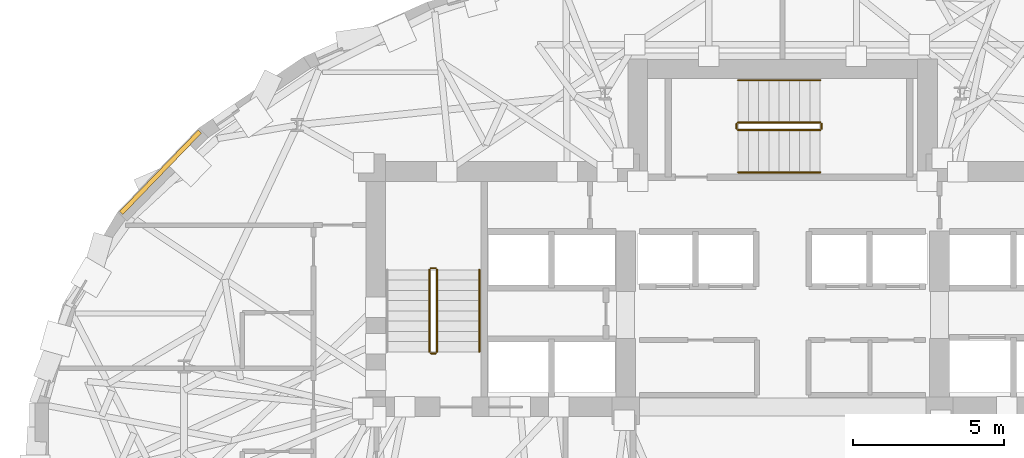
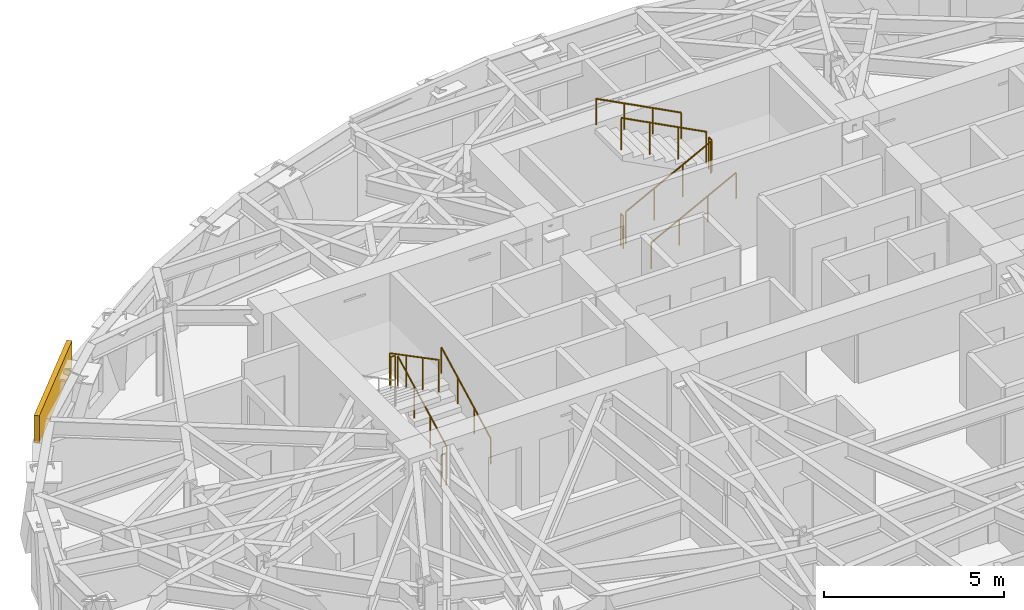
# One storey, part 12 of 14: 11 railings, 1 covering.
"""IFC4 building model written with IfcOpenShell, lengths in metres."""

from ifc_helpers import new_model, si_unit, direction, frame, origin, origin_2d, place, context, subcontext, project, spatial, rectangle, circle, extrude, material, layer, layer_set, type_object, element, save


model = new_model("IFC4")

# Units and contexts
model_context = context("Model", 3, precision=1e-05, world=origin(), true_north=direction((0.0, 1.0)))
body_context = subcontext(model_context, "Body", "Model", "MODEL_VIEW")
ifc_project = project(units=[si_unit("LENGTHUNIT", "METRE"), si_unit("AREAUNIT", "SQUARE_METRE"), si_unit("VOLUMEUNIT", "CUBIC_METRE"), si_unit("PLANEANGLEUNIT", "RADIAN"), si_unit("MASSUNIT", "GRAM", prefix="KILO")], contexts=[model_context])

# Site, building, storey
site_placement = place(None, origin())
site = spatial("IfcSite", under=ifc_project, at=site_placement, CompositionType="ELEMENT")
building_placement = place(site_placement, origin())
building = spatial("IfcBuilding", under=site, at=building_placement, Name="Keldmark Tower", CompositionType="ELEMENT")
storey_placement = place(building_placement, frame((0.0, 0.0, 169.39990234375)))
storey = spatial("IfcBuildingStorey", under=building, at=storey_placement, Name="L46", CompositionType="ELEMENT", Elevation=169.39990234375)

# Covering
ifc_material_1 = material(Name="Honed Kasota Buff Dolomitic Limestone", Category="masonry")
ifc_layer = layer(ifc_material_1, 0.074951171875)
ifc_layer_set = layer_set([ifc_layer], Name="Honed Kasota Buff Dolomitic Limestone")
covering_type = type_object("IfcCoveringType", Name="Kasota Buff Limestone Spandrel Cladding Band", PredefinedType="CLADDING", material=ifc_layer_set)
covering_placement = place(storey_placement, frame((-20.6142578125, 9.298095703125, 2.2392578125), z_axis=(0.0, 0.0, 1.0), x_axis=(-0.694959625859, -0.719048759422, 0.0)))
element("IfcCovering", 1, at=covering_placement, inside=storey, type_object=covering_type, Name="L46 Kasota Limestone Spandrel Band 13", PredefinedType="CLADDING", context=body_context, shape_type="SweptSolid", body=[
    extrude(rectangle(XDim=3.74609375, YDim=0.14990234375, at=origin_2d()), origin(), (0.0, 0.0, 1.0), 0.94091796875),
])

# Railings
ifc_material_2 = material(Name="Painted Steel ASTM A500 Grade B", Category="steel")
railing_type_1 = type_object("IfcRailingType", Name="Painted Steel Stair Well Guard 1100 mm", PredefinedType="GUARDRAIL", material=ifc_material_2)
railing_1_placement = place(storey_placement, frame((-11.449951171875, 3.35009765625, 0.177978515625)))
element("IfcRailing", 2, at=railing_1_placement, inside=storey, type_object=railing_type_1, Name="L46 ST1 stair guard 1", PredefinedType="GUARDRAIL", context=body_context, shape_type="SweptSolid", body=[
    extrude(circle(Radius=0.02392578125, at=origin_2d()), frame((0.0, 0.0, 1.076171875), z_axis=(0.0, 0.886183135912, 0.463335137482), x_axis=(-1.0, 0.0, 0.0)), (0.0, 0.0, 1.0), 3.0693359375),
    extrude(circle(Radius=0.02099609375, at=origin_2d()), origin(), (0.0, 0.0, 1.0), 1.052001953125),
    extrude(circle(Radius=0.02099609375, at=origin_2d()), frame((0.0, 0.90673828125, 0.47412109375)), (0.0, 0.0, 1.0), 1.052001953125),
    extrude(circle(Radius=0.02099609375, at=origin_2d()), frame((0.0, 1.813232421875, 0.947998046875)), (0.0, 0.0, 1.0), 1.052001953125),
    extrude(circle(Radius=0.02099609375, at=origin_2d()), frame((0.0, 2.719970703125, 1.422119140625)), (0.0, 0.0, 1.0), 1.052001953125),
])
railing_2_placement = place(storey_placement, frame((-11.5, 6.1201171875, 1.60009765625)))
element("IfcRailing", 3, at=railing_2_placement, inside=storey, type_object=railing_type_1, Name="L46 ST1 stair guard 2", PredefinedType="GUARDRAIL", context=body_context, shape_type="SweptSolid", body=[
    extrude(circle(Radius=0.02392578125, at=origin_2d()), frame((0.0, 0.0, 1.076171875), z_axis=(-1.0, 0.0, 0.0), x_axis=(0.0, -1.0, 0.0)), (0.0, 0.0, 1.0), 0.14990234375),
    extrude(circle(Radius=0.02099609375, at=origin_2d()), origin(), (0.0, 0.0, 1.0), 1.052001953125),
    extrude(circle(Radius=0.02099609375, at=origin_2d()), frame((-0.14990234375, 0.0, 0.0)), (0.0, 0.0, 1.0), 1.052001953125),
])
railing_3_placement = place(storey_placement, frame((-11.699951171875, 6.070068359375, 1.77783203125)))
element("IfcRailing", 4, at=railing_3_placement, inside=storey, type_object=railing_type_1, Name="L46 ST1 stair guard 3", PredefinedType="GUARDRAIL", context=body_context, shape_type="SweptSolid", body=[
    extrude(circle(Radius=0.02392578125, at=origin_2d()), frame((0.0, 0.0, 1.076171875), z_axis=(0.0, -0.886150474775, 0.463397600399), x_axis=(1.0, 0.0, 0.0)), (0.0, 0.0, 1.0), 3.0693359375),
    extrude(circle(Radius=0.02099609375, at=origin_2d()), origin(), (0.0, 0.0, 1.0), 1.052001953125),
    extrude(circle(Radius=0.02099609375, at=origin_2d()), frame((0.0, -0.90673828125, 0.47412109375)), (0.0, 0.0, 1.0), 1.052001953125),
    extrude(circle(Radius=0.02099609375, at=origin_2d()), frame((0.0, -1.813232421875, 0.9482421875)), (0.0, 0.0, 1.0), 1.052001953125),
    extrude(circle(Radius=0.02099609375, at=origin_2d()), frame((0.0, -2.719970703125, 1.42236328125)), (0.0, 0.0, 1.0), 1.052001953125),
])
railing_4_placement = place(storey_placement, frame((-11.5, 3.300048828125, 0.0)))
element("IfcRailing", 5, at=railing_4_placement, inside=storey, type_object=railing_type_1, Name="L46 ST1 stair guard 4", PredefinedType="GUARDRAIL", context=body_context, shape_type="SweptSolid", body=[
    extrude(circle(Radius=0.02392578125, at=origin_2d()), frame((0.0, 0.0, 1.076171875), z_axis=(-1.0, 0.0, 0.0), x_axis=(0.0, -1.0, 0.0)), (0.0, 0.0, 1.0), 0.14990234375),
    extrude(circle(Radius=0.02099609375, at=origin_2d()), origin(), (0.0, 0.0, 1.0), 1.052001953125),
    extrude(circle(Radius=0.02099609375, at=origin_2d()), frame((-0.14990234375, 0.0, 0.0)), (0.0, 0.0, 1.0), 1.052001953125),
])
railing_5_placement = place(storey_placement, frame((-1.47509765625, 10.699951171875, 0.177978515625)))
element("IfcRailing", 6, at=railing_5_placement, inside=storey, type_object=railing_type_1, Name="L46 ST3 stair guard 1", PredefinedType="GUARDRAIL", context=body_context, shape_type="SweptSolid", body=[
    extrude(circle(Radius=0.02392578125, at=origin_2d()), frame((0.0, 0.0, 1.076171875), z_axis=(0.886200210249, 0.0, 0.463302479331), x_axis=(0.0, 1.0, 0.0)), (0.0, 0.0, 1.0), 3.069580078125),
    extrude(circle(Radius=0.02099609375, at=origin_2d()), origin(), (0.0, 0.0, 1.0), 1.052001953125),
    extrude(circle(Radius=0.02099609375, at=origin_2d()), frame((0.90673828125, 0.0, 0.47412109375)), (0.0, 0.0, 1.0), 1.052001953125),
    extrude(circle(Radius=0.02099609375, at=origin_2d()), frame((1.8134765625, 0.0, 0.947998046875)), (0.0, 0.0, 1.0), 1.052001953125),
    extrude(circle(Radius=0.02099609375, at=origin_2d()), frame((2.72021484375, 0.0, 1.422119140625)), (0.0, 0.0, 1.0), 1.052001953125),
])
railing_6_placement = place(storey_placement, frame((1.294921875, 10.75, 1.60009765625)))
element("IfcRailing", 7, at=railing_6_placement, inside=storey, type_object=railing_type_1, Name="L46 ST3 stair guard 2", PredefinedType="GUARDRAIL", context=body_context, shape_type="SweptSolid", body=[
    extrude(circle(Radius=0.02392578125, at=origin_2d()), frame((0.0, 0.0, 1.076171875), z_axis=(0.0, 1.0, 0.0), x_axis=(-1.0, 0.0, 0.0)), (0.0, 0.0, 1.0), 0.14990234375),
    extrude(circle(Radius=0.02099609375, at=origin_2d()), origin(), (0.0, 0.0, 1.0), 1.052001953125),
    extrude(circle(Radius=0.02099609375, at=origin_2d()), frame((0.0, 0.14990234375, 0.0)), (0.0, 0.0, 1.0), 1.052001953125),
])
railing_7_placement = place(storey_placement, frame((1.2451171875, 10.949951171875, 1.77783203125)))
element("IfcRailing", 8, at=railing_7_placement, inside=storey, type_object=railing_type_1, Name="L46 ST3 stair guard 3", PredefinedType="GUARDRAIL", context=body_context, shape_type="SweptSolid", body=[
    extrude(circle(Radius=0.02392578125, at=origin_2d()), frame((0.0, 0.0, 1.076171875), z_axis=(-0.886167553088, 0.0, 0.463364940252), x_axis=(0.0, -1.0, 0.0)), (0.0, 0.0, 1.0), 3.069580078125),
    extrude(circle(Radius=0.02099609375, at=origin_2d()), origin(), (0.0, 0.0, 1.0), 1.052001953125),
    extrude(circle(Radius=0.02099609375, at=origin_2d()), frame((-0.90673828125, 0.0, 0.47412109375)), (0.0, 0.0, 1.0), 1.052001953125),
    extrude(circle(Radius=0.02099609375, at=origin_2d()), frame((-1.8134765625, 0.0, 0.9482421875)), (0.0, 0.0, 1.0), 1.052001953125),
    extrude(circle(Radius=0.02099609375, at=origin_2d()), frame((-2.72021484375, 0.0, 1.42236328125)), (0.0, 0.0, 1.0), 1.052001953125),
])
railing_8_placement = place(storey_placement, frame((-1.52490234375, 10.75, 0.0)))
element("IfcRailing", 9, at=railing_8_placement, inside=storey, type_object=railing_type_1, Name="L46 ST3 stair guard 4", PredefinedType="GUARDRAIL", context=body_context, shape_type="SweptSolid", body=[
    extrude(circle(Radius=0.02392578125, at=origin_2d()), frame((0.0, 0.0, 1.076171875), z_axis=(0.0, 1.0, 0.0), x_axis=(-1.0, 0.0, 0.0)), (0.0, 0.0, 1.0), 0.14990234375),
    extrude(circle(Radius=0.02099609375, at=origin_2d()), origin(), (0.0, 0.0, 1.0), 1.052001953125),
    extrude(circle(Radius=0.02099609375, at=origin_2d()), frame((0.0, 0.14990234375, 0.0)), (0.0, 0.0, 1.0), 1.052001953125),
])
ifc_material_3 = material(Name="Stainless Steel AISI 316L", Category="steel")
railing_type_2 = type_object("IfcRailingType", Name="Stainless Steel Stair Handrail 900 mm", PredefinedType="HANDRAIL", material=ifc_material_3)
railing_9_placement = place(storey_placement, frame((-10.050048828125, 3.35009765625, 0.177978515625)))
element("IfcRailing", 10, at=railing_9_placement, inside=storey, type_object=railing_type_2, Name="L46 ST1 stair handrail 1", PredefinedType="HANDRAIL", context=body_context, shape_type="SweptSolid", body=[
    extrude(circle(Radius=0.02392578125, at=origin_2d()), frame((0.0, 0.0, 0.8759765625), z_axis=(0.0, 0.886183135912, 0.463335137482), x_axis=(-1.0, 0.0, 0.0)), (0.0, 0.0, 1.0), 3.0693359375),
    extrude(circle(Radius=0.02099609375, at=origin_2d()), origin(), (0.0, 0.0, 1.0), 0.851806640625),
    extrude(circle(Radius=0.02099609375, at=origin_2d()), frame((0.0, 0.90673828125, 0.47412109375)), (0.0, 0.0, 1.0), 0.851806640625),
    extrude(circle(Radius=0.02099609375, at=origin_2d()), frame((0.0, 1.813232421875, 0.947998046875)), (0.0, 0.0, 1.0), 0.851806640625),
    extrude(circle(Radius=0.02099609375, at=origin_2d()), frame((0.0, 2.719970703125, 1.422119140625)), (0.0, 0.0, 1.0), 0.851806640625),
])
railing_10_placement = place(storey_placement, frame((-1.47509765625, 9.300048828125, 0.177978515625)))
element("IfcRailing", 11, at=railing_10_placement, inside=storey, type_object=railing_type_2, Name="L46 ST3 stair handrail 1", PredefinedType="HANDRAIL", context=body_context, shape_type="SweptSolid", body=[
    extrude(circle(Radius=0.02392578125, at=origin_2d()), frame((0.0, 0.0, 0.8759765625), z_axis=(0.886200210249, 0.0, 0.463302479331), x_axis=(0.0, 1.0, 0.0)), (0.0, 0.0, 1.0), 3.069580078125),
    extrude(circle(Radius=0.02099609375, at=origin_2d()), origin(), (0.0, 0.0, 1.0), 0.851806640625),
    extrude(circle(Radius=0.02099609375, at=origin_2d()), frame((0.90673828125, 0.0, 0.47412109375)), (0.0, 0.0, 1.0), 0.851806640625),
    extrude(circle(Radius=0.02099609375, at=origin_2d()), frame((1.8134765625, 0.0, 0.947998046875)), (0.0, 0.0, 1.0), 0.851806640625),
    extrude(circle(Radius=0.02099609375, at=origin_2d()), frame((2.72021484375, 0.0, 1.422119140625)), (0.0, 0.0, 1.0), 0.851806640625),
])
railing_11_placement = place(storey_placement, frame((1.2451171875, 12.35009765625, 1.77783203125)))
element("IfcRailing", 12, at=railing_11_placement, inside=storey, type_object=railing_type_2, Name="L46 ST3 stair handrail 2", PredefinedType="HANDRAIL", context=body_context, shape_type="SweptSolid", body=[
    extrude(circle(Radius=0.02392578125, at=origin_2d()), frame((0.0, 0.0, 0.8759765625), z_axis=(-0.886167553088, 0.0, 0.463364940252), x_axis=(0.0, -1.0, 0.0)), (0.0, 0.0, 1.0), 3.069580078125),
    extrude(circle(Radius=0.02099609375, at=origin_2d()), origin(), (0.0, 0.0, 1.0), 0.851806640625),
    extrude(circle(Radius=0.02099609375, at=origin_2d()), frame((-0.90673828125, 0.0, 0.47412109375)), (0.0, 0.0, 1.0), 0.851806640625),
    extrude(circle(Radius=0.02099609375, at=origin_2d()), frame((-1.8134765625, 0.0, 0.9482421875)), (0.0, 0.0, 1.0), 0.851806640625),
    extrude(circle(Radius=0.02099609375, at=origin_2d()), frame((-2.72021484375, 0.0, 1.42236328125)), (0.0, 0.0, 1.0), 0.851806640625),
])

save(model, "model.ifc")
